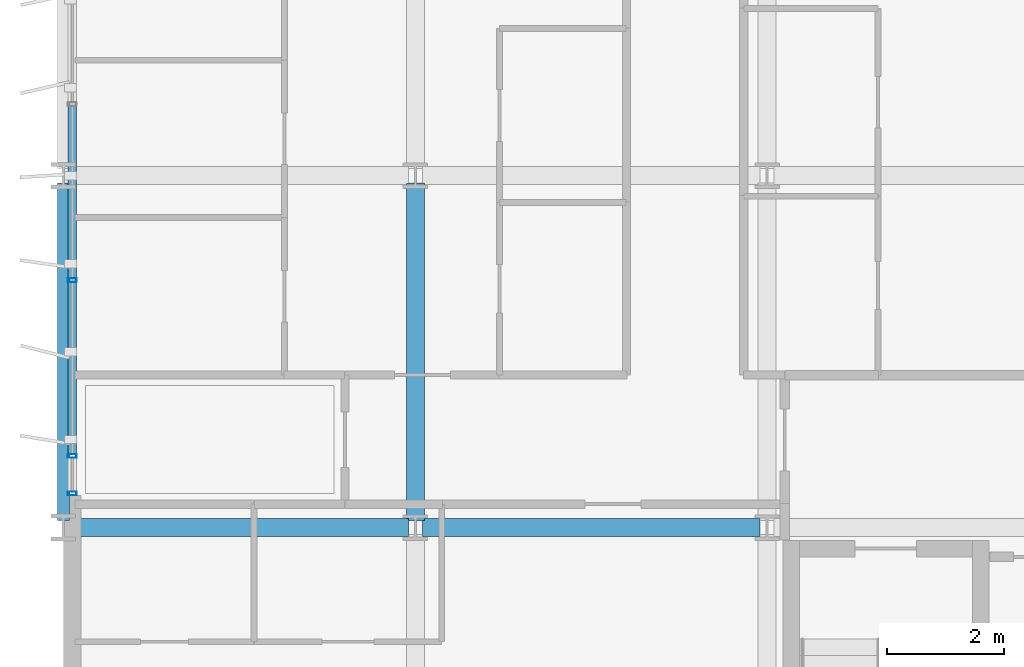
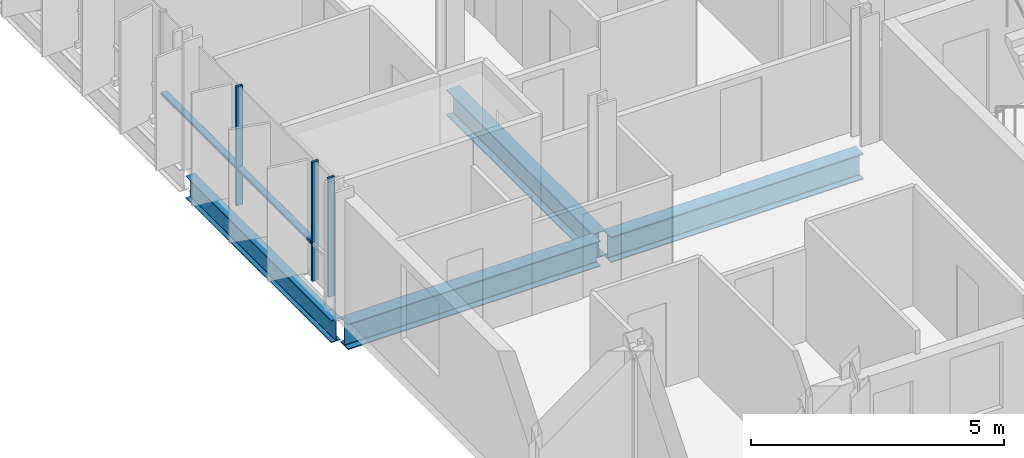
# One storey, part 2 of 38: 5 members, 4 beams, 1 element without a shape of its own.
"""IFC4 building model written with IfcOpenShell, lengths in metres."""

from ifc_helpers import new_model, si_unit, direction, frame, origin, origin_2d, place, context, subcontext, project, spatial, hollow_rectangle, i_section, extrude, material, layer, layer_set, material_profile, profile_set, type_object, element, aggregate, save


model = new_model("IFC4")

# Units and contexts
model_context = context("Model", 3, precision=1e-05, world=origin(), true_north=direction((0.0, 1.0)))
body_context = subcontext(model_context, "Body", "Model", "MODEL_VIEW")
ifc_project = project(units=[si_unit("LENGTHUNIT", "METRE"), si_unit("AREAUNIT", "SQUARE_METRE"), si_unit("VOLUMEUNIT", "CUBIC_METRE"), si_unit("PLANEANGLEUNIT", "RADIAN"), si_unit("MASSUNIT", "GRAM", prefix="KILO")], contexts=[model_context])

# Site, building, storey
site_placement = place(None, origin())
site = spatial("IfcSite", under=ifc_project, at=site_placement, CompositionType="ELEMENT")
building_placement = place(site_placement, origin())
building = spatial("IfcBuilding", under=site, at=building_placement, Name="Brevholm Reach", CompositionType="ELEMENT")
storey_placement = place(building_placement, frame((0.0, 0.0, 71.39990234375)))
storey = spatial("IfcBuildingStorey", under=building, at=storey_placement, Name="L20", CompositionType="ELEMENT", Elevation=71.39990234375)

# Beams
ifc_material_1 = material(Name="Structural Steel S355J2", Category="steel")
ifc_material_profile_1 = material_profile(ifc_material_1, i_section(OverallWidth=0.210693359375, OverallDepth=0.53955078125, WebThickness=0.01171875, FlangeThickness=0.018798828125, FilletRadius=0.0126953125, at=origin_2d()), Name="UKB 533x210x109")
ifc_profile_set_1 = profile_set([ifc_material_profile_1], Name="Structural Steel S355J2")
beam_type_1 = type_object("IfcBeamType", Name="BM-SP539", PredefinedType="SPANDREL", material=ifc_profile_set_1)
beam_placement = place(storey_placement, frame((0.0, 10.1201171875, -0.499755859375), z_axis=(0.0, 1.0, 0.0), x_axis=(-1.0, 0.0, 0.0)))
element("IfcBeam", 1, at=beam_placement, inside=storey, type_object=beam_type_1, Name="L20 SP-01B Framing Beam", PredefinedType="SPANDREL", context=body_context, shape_type="SweptSolid", body=[
    extrude(i_section(OverallWidth=0.210693359375, OverallDepth=0.53955078125, WebThickness=0.01171875, FlangeThickness=0.018798828125, FilletRadius=0.0126953125, at=origin_2d()), origin(), (0.0, 0.0, 1.0), 5.759765625),
])
ifc_material_2 = material(Name="Structural Steel S355J2", Category="steel")
ifc_material_profile_2 = material_profile(ifc_material_2, i_section(OverallWidth=0.30712890625, OverallDepth=0.6201171875, WebThickness=0.01416015625, FlangeThickness=0.023681640625, FilletRadius=0.0166015625, at=origin_2d()), Name="UKB 610x305x179")
ifc_profile_set_2 = profile_set([ifc_material_profile_2], Name="Structural Steel S355J2")
beam_type_2 = type_object("IfcBeamType", Name="BM-UKB610H", PredefinedType="USERDEFINED", material=ifc_profile_set_2)
for number, where, z_axis, x_axis, name in (
    (2, (0.1201171875, 10.0, -0.5400390625), (1.0, 0.0, 0.0), (0.0, 1.0, 0.0), "L20 G-06 Framing Beam"),
    (3, (6.1201171875, 10.0, -0.5400390625), (1.0, 0.0, 0.0), (0.0, 1.0, 0.0), "L20 G-06 Framing Beam"),
    (4, (6.0, 10.1201171875, -0.5400390625), (0.0, 1.0, 0.0), (-1.0, 0.0, 0.0), "L20 G-06 Framing Beam"),
):
    element("IfcBeam", number, at=place(storey_placement, frame(where, z_axis=z_axis, x_axis=x_axis)), inside=storey, type_object=beam_type_2, Name=name, ObjectType="GIRDER", PredefinedType="USERDEFINED", context=body_context, shape_type="SweptSolid", body=[
        extrude(i_section(OverallWidth=0.30712890625, OverallDepth=0.6201171875, WebThickness=0.01416015625, FlangeThickness=0.023681640625, FilletRadius=0.0166015625, at=origin_2d()), origin(), (0.0, 0.0, 1.0), 5.759765625),
    ])

# Curtain wall, members
ifc_material_3 = material(Name="Dark Anodised Aluminium 6063-T6 and Solar-Control Glass", Category="aluminium")
ifc_layer = layer(ifc_material_3, 0.14990234375)
ifc_layer_set = layer_set([ifc_layer], Name="Dark Anodised Aluminium 6063-T6 and Solar-Control Glass")
curtain_wall_type = type_object("IfcCurtainWallType", Name="CW-01", PredefinedType="NOTDEFINED", material=ifc_layer_set)
curtain_wall_placement = place(storey_placement, origin())
curtain_wall = element("IfcCurtainWall", 5, at=curtain_wall_placement, inside=storey, type_object=curtain_wall_type, Name="L20 Curtain Wall CW-01", PredefinedType="NOTDEFINED")
ifc_material_4 = material(Name="Dark Anodised Aluminium 6063-T6", Category="aluminium")
ifc_material_profile_3 = material_profile(ifc_material_4, hollow_rectangle(XDim=0.06494140625, YDim=0.14990234375, WallThickness=0.0048828125, InnerFilletRadius=0.0048828125, OuterFilletRadius=0.010009765625, at=origin_2d()), Name="RHS 150x65x5")
ifc_profile_set_3 = profile_set([ifc_material_profile_3], Name="Dark Anodised Aluminium 6063-T6")
member_type_1 = type_object("IfcMemberType", Name="CWM-150", PredefinedType="MULLION", material=ifc_profile_set_3)
member_1_placement = place(storey_placement, frame((0.14990234375, 14.219970703125, 0.0), z_axis=(0.0, 0.0, 1.0), x_axis=(0.0, -1.0, 0.0)))
member_1 = element("IfcMember", 6, at=member_1_placement, type_object=member_type_1, Name="CM-150 Mullion 4", PredefinedType="MULLION", context=body_context, shape_type="SweptSolid", body=[
    extrude(hollow_rectangle(XDim=0.06494140625, YDim=0.14990234375, WallThickness=0.0048828125, InnerFilletRadius=0.0048828125, OuterFilletRadius=0.010009765625, at=origin_2d()), origin(), (0.0, 0.0, 1.0), 2.8701171875),
])
member_2_placement = place(storey_placement, frame((0.14990234375, 11.219970703125, 0.0), z_axis=(0.0, 0.0, 1.0), x_axis=(0.0, -1.0, 0.0)))
member_2 = element("IfcMember", 7, at=member_2_placement, type_object=member_type_1, Name="CM-150 Mullion 5", PredefinedType="MULLION", context=body_context, shape_type="SweptSolid", body=[
    extrude(hollow_rectangle(XDim=0.06494140625, YDim=0.14990234375, WallThickness=0.0048828125, InnerFilletRadius=0.0048828125, OuterFilletRadius=0.010009765625, at=origin_2d()), origin(), (0.0, 0.0, 1.0), 2.8701171875),
])
member_3_placement = place(storey_placement, frame((0.14990234375, 10.58251953125, 0.0), z_axis=(0.0, 0.0, 1.0), x_axis=(0.0, -1.0, 0.0)))
member_3 = element("IfcMember", 8, at=member_3_placement, type_object=member_type_1, Name="CM-150 Mullion 6", PredefinedType="MULLION", context=body_context, shape_type="SweptSolid", body=[
    extrude(hollow_rectangle(XDim=0.06494140625, YDim=0.14990234375, WallThickness=0.0048828125, InnerFilletRadius=0.0048828125, OuterFilletRadius=0.010009765625, at=origin_2d()), origin(), (0.0, 0.0, 1.0), 2.8701171875),
])
ifc_material_5 = material(Name="Dark Anodised Aluminium 6063-T6", Category="aluminium")
ifc_material_profile_4 = material_profile(ifc_material_5, hollow_rectangle(XDim=0.06494140625, YDim=0.14990234375, WallThickness=0.0048828125, InnerFilletRadius=0.0048828125, OuterFilletRadius=0.010009765625, at=origin_2d()), Name="RHS 150x65x5")
ifc_profile_set_4 = profile_set([ifc_material_profile_4], Name="Dark Anodised Aluminium 6063-T6")
member_type_2 = type_object("IfcMemberType", Name="CWT-150", PredefinedType="NOTDEFINED", material=ifc_profile_set_4)
member_4_placement = place(storey_placement, frame((0.14990234375, 17.1875, 0.900146484375), z_axis=(0.0, -1.0, 0.0), x_axis=(0.0, 0.0, 1.0)))
member_4 = element("IfcMember", 9, at=member_4_placement, type_object=member_type_2, Name="CT-150 Transom 3.1", ObjectType="TRANSOM", PredefinedType="USERDEFINED", context=body_context, shape_type="SweptSolid", body=[
    extrude(hollow_rectangle(XDim=0.06494140625, YDim=0.14990234375, WallThickness=0.0048828125, InnerFilletRadius=0.0048828125, OuterFilletRadius=0.010009765625, at=origin_2d()), origin(), (0.0, 0.0, 1.0), 2.93505859375),
])
member_5_placement = place(storey_placement, frame((0.14990234375, 14.1875, 0.900146484375), z_axis=(0.0, -1.0, 0.0), x_axis=(0.0, 0.0, 1.0)))
member_5 = element("IfcMember", 10, at=member_5_placement, type_object=member_type_2, Name="CT-150 Transom 4.1", ObjectType="TRANSOM", PredefinedType="USERDEFINED", context=body_context, shape_type="SweptSolid", body=[
    extrude(hollow_rectangle(XDim=0.06494140625, YDim=0.14990234375, WallThickness=0.0048828125, InnerFilletRadius=0.0048828125, OuterFilletRadius=0.010009765625, at=origin_2d()), origin(), (0.0, 0.0, 1.0), 2.93505859375),
])
aggregate(curtain_wall, [member_1, member_2, member_3, member_4, member_5])

save(model, "model.ifc")
